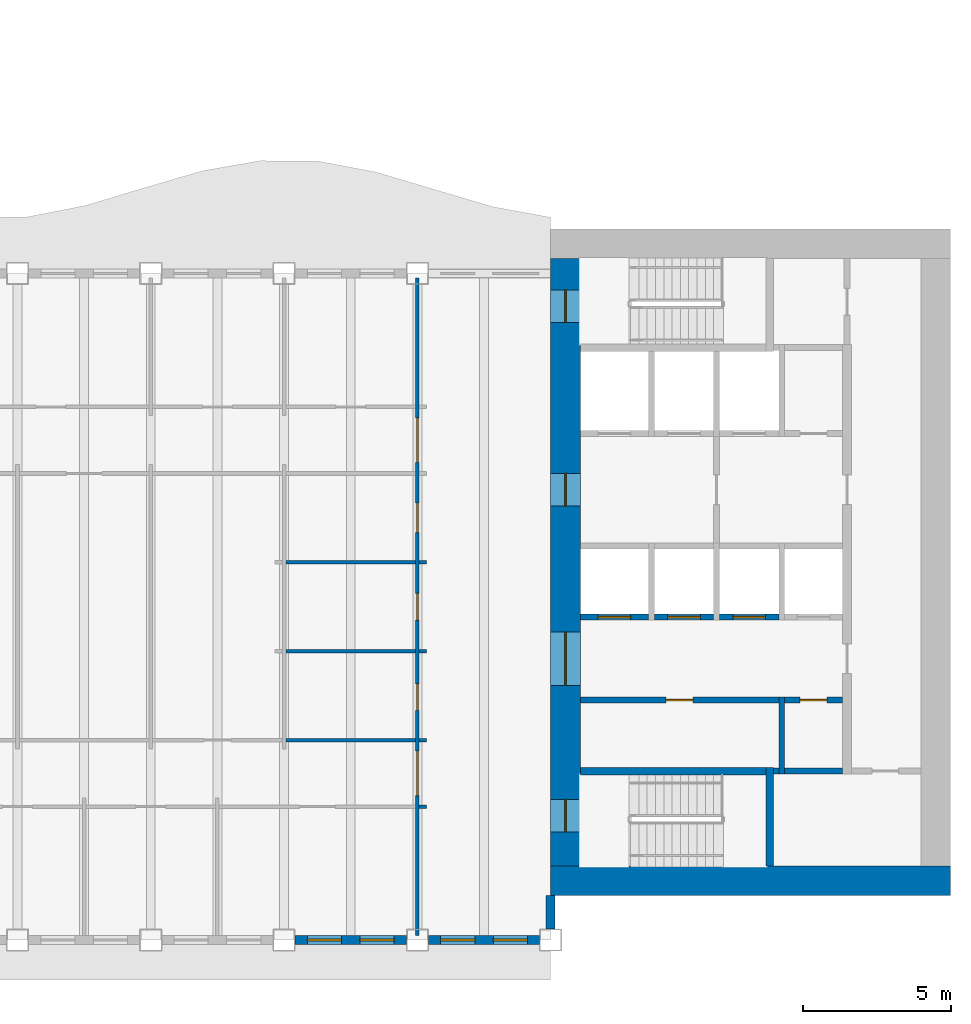
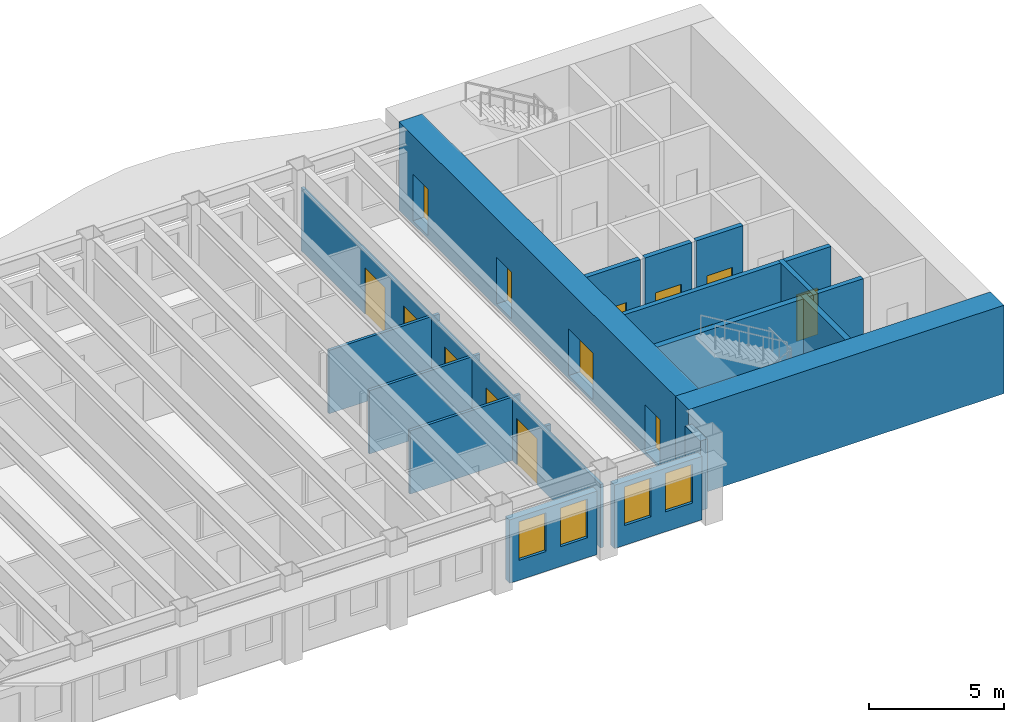
# One storey, part 6 of 17: 23 walls, 14 doors, 4 windows, 18 openings.
"""IFC4 building model written with IfcOpenShell, lengths in metres."""

from ifc_helpers import new_model, si_unit, direction, frame, frame_2d, origin, place, context, subcontext, project, spatial, rectangle, extrude, material, layer, layer_set, type_object, element, fill, save


model = new_model("IFC4")

# Units and contexts
model_context = context("Model", 3, precision=1e-05, world=origin(), true_north=direction((0.0, 1.0)))
body_context = subcontext(model_context, "Body", "Model", "MODEL_VIEW")
ifc_project = project(units=[si_unit("LENGTHUNIT", "METRE"), si_unit("AREAUNIT", "SQUARE_METRE"), si_unit("VOLUMEUNIT", "CUBIC_METRE"), si_unit("PLANEANGLEUNIT", "RADIAN"), si_unit("MASSUNIT", "GRAM", prefix="KILO")], contexts=[model_context])

# Site, building, storey
site_placement = place(None, origin())
site = spatial("IfcSite", under=ifc_project, at=site_placement, CompositionType="ELEMENT")
building_placement = place(site_placement, origin())
building = spatial("IfcBuilding", under=site, at=building_placement, Name="Sennacour Bend Tower", CompositionType="ELEMENT")
storey_placement = place(building_placement, frame((0.0, 0.0, 195.0)))
storey = spatial("IfcBuildingStorey", under=building, at=storey_placement, Name="L44", CompositionType="ELEMENT", Elevation=195.0)

# Wall
ifc_material_1 = material(Name="Concrete C60/75", Category="concrete")
ifc_layer_1 = layer(ifc_material_1, 1.0, Name="Concrete C60/75", Category="concrete")
ifc_layer_set_1 = layer_set([ifc_layer_1], Name="Concrete C60/75")
wall_type_1 = type_object("IfcWallType", Name="Core wall 1000 C60/75", PredefinedType="SHEAR", material=ifc_layer_set_1)
wall_1_placement = place(storey_placement, frame((67.5, 0.5, -0.14990234375), z_axis=(0.0, 0.0, 1.0), x_axis=(-1.0, 0.0, 0.0)))
element("IfcWall", 1, at=wall_1_placement, inside=storey, type_object=wall_type_1, Name="Core A wall L44 S", PredefinedType="SHEAR", context=body_context, shape_type="SweptSolid", body=[
    extrude(rectangle(XDim=13.5, YDim=1.0, at=frame_2d((6.75, 0.0))), origin(), (0.0, 0.0, 1.0), 4.0),
])

# Wall, openings, doors
wall_2_placement = place(storey_placement, frame((54.5, 1.0, -0.14990234375), z_axis=(0.0, 0.0, 1.0), x_axis=(0.0, 1.0, 0.0)))
wall_2 = element("IfcWall", 2, at=wall_2_placement, inside=storey, type_object=wall_type_1, Name="Core A wall L44 W", PredefinedType="SHEAR", context=body_context, shape_type="SweptSolid", body=[
    extrude(rectangle(XDim=20.5, YDim=1.0, at=frame_2d((10.25, 0.0))), origin(), (0.0, 0.0, 1.0), 4.0),
])
opening_1_placement = place(wall_2_placement, frame((6.10009765625, 0.0, 0.14990234375)))
opening_1 = element("IfcOpeningElement", 3, at=opening_1_placement, cuts=wall_2, Name="Opening CD", PredefinedType="OPENING", context=body_context, shape_type="SweptSolid", body=[
    extrude(rectangle(XDim=1.800048828125, YDim=2.10009765625, at=frame_2d((0.89990234375, 1.050048828125))), frame((0.0, 0.510009765625, 0.0), z_axis=(0.0, -1.0, 0.0), x_axis=(1.0, 0.0, 0.0)), (0.0, 0.0, 1.0), 1.02001953125),
])
opening_2_placement = place(wall_2_placement, frame((12.14990234375, 0.0, 0.14990234375)))
opening_2 = element("IfcOpeningElement", 4, at=opening_2_placement, cuts=wall_2, Name="Opening FD", PredefinedType="OPENING", context=body_context, shape_type="SweptSolid", body=[
    extrude(rectangle(XDim=1.10009765625, YDim=2.10009765625, at=frame_2d((0.550048828125, 1.050048828125))), frame((0.0, 0.510009765625, 0.0), z_axis=(0.0, -1.0, 0.0), x_axis=(1.0, 0.0, 0.0)), (0.0, 0.0, 1.0), 1.02001953125),
])
opening_3_placement = place(wall_2_placement, frame((1.14990234375, 0.0, 0.14990234375)))
opening_3 = element("IfcOpeningElement", 5, at=opening_3_placement, cuts=wall_2, Name="Opening SD", PredefinedType="OPENING", context=body_context, shape_type="SweptSolid", body=[
    extrude(rectangle(XDim=1.10009765625, YDim=2.10009765625, at=frame_2d((0.550048828125, 1.050048828125))), frame((0.0, 0.510009765625, 0.0), z_axis=(0.0, -1.0, 0.0), x_axis=(1.0, 0.0, 0.0)), (0.0, 0.0, 1.0), 1.02001953125),
])
opening_4_placement = place(wall_2_placement, frame((18.35009765625, 0.0, 0.14990234375)))
opening_4 = element("IfcOpeningElement", 6, at=opening_4_placement, cuts=wall_2, Name="Opening SD", PredefinedType="OPENING", context=body_context, shape_type="SweptSolid", body=[
    extrude(rectangle(XDim=1.10009765625, YDim=2.10009765625, at=frame_2d((0.550048828125, 1.050048828125))), frame((0.0, 0.510009765625, 0.0), z_axis=(0.0, -1.0, 0.0), x_axis=(1.0, 0.0, 0.0)), (0.0, 0.0, 1.0), 1.02001953125),
])
ifc_material_2 = material(Name="Painted steel", Category="steel")
door_type_1 = type_object("IfcDoorType", Name="DR-FFL-1100", OperationType="NOTDEFINED", PredefinedType="DOOR", material=ifc_material_2)
door_1_placement = place(opening_2_placement, origin())
door_1 = element("IfcDoor", 7, at=door_1_placement, inside=storey, type_object=door_type_1, Name="Door", OperationType="SINGLE_SWING_RIGHT", OverallHeight=2.10009765625, OverallWidth=1.10009765625, PredefinedType="DOOR", context=body_context, shape_type="SweptSolid", body=[
    extrude(rectangle(XDim=1.10009765625, YDim=2.10009765625, at=frame_2d((0.550048828125, 1.050048828125))), frame((0.0, 0.02490234375, 0.0), z_axis=(0.0, -1.0, 0.0), x_axis=(1.0, 0.0, 0.0)), (0.0, 0.0, 1.0), 0.050048828125),
])
fill(opening_2, door_1)
door_type_2 = type_object("IfcDoorType", Name="DR-LOBBY-1800", OperationType="NOTDEFINED", PredefinedType="DOOR", material=ifc_material_2)
door_2_placement = place(opening_1_placement, origin())
door_2 = element("IfcDoor", 8, at=door_2_placement, inside=storey, type_object=door_type_2, Name="Door", OperationType="DOUBLE_DOOR_SINGLE_SWING", OverallHeight=2.10009765625, OverallWidth=1.800048828125, PredefinedType="DOOR", context=body_context, shape_type="SweptSolid", body=[
    extrude(rectangle(XDim=1.800048828125, YDim=2.10009765625, at=frame_2d((0.89990234375, 1.050048828125))), frame((0.0, 0.02490234375, 0.0), z_axis=(0.0, -1.0, 0.0), x_axis=(1.0, 0.0, 0.0)), (0.0, 0.0, 1.0), 0.050048828125),
])
fill(opening_1, door_2)
door_type_3 = type_object("IfcDoorType", Name="DR-STAIR-1100", OperationType="NOTDEFINED", PredefinedType="DOOR", material=ifc_material_2)
door_3_placement = place(opening_3_placement, origin())
door_3 = element("IfcDoor", 9, at=door_3_placement, inside=storey, type_object=door_type_3, Name="Door", OperationType="SINGLE_SWING_LEFT", OverallHeight=2.10009765625, OverallWidth=1.10009765625, PredefinedType="DOOR", context=body_context, shape_type="SweptSolid", body=[
    extrude(rectangle(XDim=1.10009765625, YDim=2.10009765625, at=frame_2d((0.550048828125, 1.050048828125))), frame((0.0, 0.02490234375, 0.0), z_axis=(0.0, -1.0, 0.0), x_axis=(1.0, 0.0, 0.0)), (0.0, 0.0, 1.0), 0.050048828125),
])
fill(opening_3, door_3)
door_4_placement = place(opening_4_placement, origin())
door_4 = element("IfcDoor", 10, at=door_4_placement, inside=storey, type_object=door_type_3, Name="Door", OperationType="SINGLE_SWING_RIGHT", OverallHeight=2.10009765625, OverallWidth=1.10009765625, PredefinedType="DOOR", context=body_context, shape_type="SweptSolid", body=[
    extrude(rectangle(XDim=1.10009765625, YDim=2.10009765625, at=frame_2d((0.550048828125, 1.050048828125))), frame((0.0, 0.02490234375, 0.0), z_axis=(0.0, -1.0, 0.0), x_axis=(1.0, 0.0, 0.0)), (0.0, 0.0, 1.0), 0.050048828125),
])
fill(opening_4, door_4)

# Walls
ifc_material_3 = material(Name="Plasterboard partition on steel studs", Category="steel")
ifc_layer_2 = layer(ifc_material_3, 0.1201171875, Name="Plasterboard partition on steel studs", Category="steel")
ifc_layer_set_2 = layer_set([ifc_layer_2], Name="Plasterboard partition on steel studs")
wall_type_2 = type_object("IfcWallType", Name="Partition 120", PredefinedType="PARTITIONING", material=ifc_layer_set_2)
wall_3_placement = place(storey_placement, frame((49.56005859375, 3.0, 0.0), z_axis=(0.0, 0.0, 1.0), x_axis=(1.0, 0.0, 0.0)))
element("IfcWall", 11, at=wall_3_placement, inside=storey, type_object=wall_type_2, Name="P-L44-W053ah", PredefinedType="PARTITIONING", context=body_context, shape_type="SweptSolid", body=[
    extrude(rectangle(XDim=0.239990234375, YDim=0.1201171875, at=frame_2d((0.1201171875, 0.0))), origin(), (0.0, 0.0, 1.0), 2.8701171875),
])
wall_4_placement = place(storey_placement, frame((45.06005859375, 5.25, 0.0), z_axis=(0.0, 0.0, 1.0), x_axis=(1.0, 0.0, 0.0)))
element("IfcWall", 12, at=wall_4_placement, inside=storey, type_object=wall_type_2, Name="P-L44-W058ae", PredefinedType="PARTITIONING", context=body_context, shape_type="SweptSolid", body=[
    extrude(rectangle(XDim=4.3798828125, YDim=0.1201171875, at=frame_2d((2.18994140625, 0.0))), origin(), (0.0, 0.0, 1.0), 2.8701171875),
])
wall_5_placement = place(storey_placement, frame((49.56005859375, 5.25, 0.0), z_axis=(0.0, 0.0, 1.0), x_axis=(1.0, 0.0, 0.0)))
element("IfcWall", 13, at=wall_5_placement, inside=storey, type_object=wall_type_2, Name="P-L44-W058af", PredefinedType="PARTITIONING", context=body_context, shape_type="SweptSolid", body=[
    extrude(rectangle(XDim=0.239990234375, YDim=0.1201171875, at=frame_2d((0.1201171875, 0.0))), origin(), (0.0, 0.0, 1.0), 2.8701171875),
])
wall_6_placement = place(storey_placement, frame((45.06005859375, 8.25, 0.0), z_axis=(0.0, 0.0, 1.0), x_axis=(1.0, 0.0, 0.0)))
element("IfcWall", 14, at=wall_6_placement, inside=storey, type_object=wall_type_2, Name="P-L44-W060ab", PredefinedType="PARTITIONING", context=body_context, shape_type="SweptSolid", body=[
    extrude(rectangle(XDim=4.3798828125, YDim=0.1201171875, at=frame_2d((2.18994140625, 0.0))), origin(), (0.0, 0.0, 1.0), 2.8701171875),
])
wall_7_placement = place(storey_placement, frame((49.56005859375, 8.25, 0.0), z_axis=(0.0, 0.0, 1.0), x_axis=(1.0, 0.0, 0.0)))
element("IfcWall", 15, at=wall_7_placement, inside=storey, type_object=wall_type_2, Name="P-L44-W060ac", PredefinedType="PARTITIONING", context=body_context, shape_type="SweptSolid", body=[
    extrude(rectangle(XDim=0.239990234375, YDim=0.1201171875, at=frame_2d((0.1201171875, 0.0))), origin(), (0.0, 0.0, 1.0), 2.8701171875),
])
wall_8_placement = place(storey_placement, frame((45.06005859375, 11.25, 0.0), z_axis=(0.0, 0.0, 1.0), x_axis=(1.0, 0.0, 0.0)))
element("IfcWall", 16, at=wall_8_placement, inside=storey, type_object=wall_type_2, Name="P-L44-W064ab", PredefinedType="PARTITIONING", context=body_context, shape_type="SweptSolid", body=[
    extrude(rectangle(XDim=4.3798828125, YDim=0.1201171875, at=frame_2d((2.18994140625, 0.0))), origin(), (0.0, 0.0, 1.0), 2.8701171875),
])
wall_9_placement = place(storey_placement, frame((49.56005859375, 11.25, 0.0), z_axis=(0.0, 0.0, 1.0), x_axis=(1.0, 0.0, 0.0)))
element("IfcWall", 17, at=wall_9_placement, inside=storey, type_object=wall_type_2, Name="P-L44-W064ac", PredefinedType="PARTITIONING", context=body_context, shape_type="SweptSolid", body=[
    extrude(rectangle(XDim=0.239990234375, YDim=0.1201171875, at=frame_2d((0.1201171875, 0.0))), origin(), (0.0, 0.0, 1.0), 2.8701171875),
])

# Wall, openings, doors
ifc_layer_3 = layer(ifc_material_3, 0.1201171875, Name="Plasterboard partition on steel studs", Category="steel")
ifc_layer_set_3 = layer_set([ifc_layer_3], Name="Plasterboard partition on steel studs")
wall_type_3 = type_object("IfcWallType", Name="Partition 120 EI 30", PredefinedType="PARTITIONING", material=ifc_layer_set_3)
wall_10_placement = place(storey_placement, frame((49.5, -1.35009765625, 0.0), z_axis=(0.0, 0.0, 1.0), x_axis=(0.0, 1.0, 0.0)))
wall_10 = element("IfcWall", 18, at=wall_10_placement, inside=storey, type_object=wall_type_3, Name="P-L44-W037a", PredefinedType="PARTITIONING", context=body_context, shape_type="SweptSolid", body=[
    extrude(rectangle(XDim=22.2001953125, YDim=0.1201171875, at=frame_2d((11.10009765625, 0.0))), origin(), (0.0, 0.0, 1.0), 2.8701171875),
])
opening_5_placement = place(wall_10_placement, frame((4.72509765625, 0.0, 0.0)))
opening_5 = element("IfcOpeningElement", 19, at=opening_5_placement, cuts=wall_10, Name="Opening KD", PredefinedType="OPENING", context=body_context, shape_type="SweptSolid", body=[
    extrude(rectangle(XDim=1.5, YDim=2.10009765625, at=frame_2d((0.75, 1.050048828125))), frame((0.0, 0.070068359375, 0.0), z_axis=(0.0, -1.0, 0.0), x_axis=(1.0, 0.0, 0.0)), (0.0, 0.0, 1.0), 0.14013671875),
])
opening_6_placement = place(wall_10_placement, frame((15.97509765625, 0.0, 0.0)))
opening_6 = element("IfcOpeningElement", 20, at=opening_6_placement, cuts=wall_10, Name="Opening KD", PredefinedType="OPENING", context=body_context, shape_type="SweptSolid", body=[
    extrude(rectangle(XDim=1.5, YDim=2.10009765625, at=frame_2d((0.75, 1.050048828125))), frame((0.0, 0.070068359375, 0.0), z_axis=(0.0, -1.0, 0.0), x_axis=(1.0, 0.0, 0.0)), (0.0, 0.0, 1.0), 0.14013671875),
])
opening_7_placement = place(wall_10_placement, frame((7.60009765625, 0.0, 0.0)))
opening_7 = element("IfcOpeningElement", 21, at=opening_7_placement, cuts=wall_10, Name="Opening WD", PredefinedType="OPENING", context=body_context, shape_type="SweptSolid", body=[
    extrude(rectangle(XDim=0.89990234375, YDim=2.10009765625, at=frame_2d((0.449951171875, 1.050048828125))), frame((0.0, 0.070068359375, 0.0), z_axis=(0.0, -1.0, 0.0), x_axis=(1.0, 0.0, 0.0)), (0.0, 0.0, 1.0), 0.14013671875),
])
opening_8_placement = place(wall_10_placement, frame((10.650146484375, 0.0, 0.0)))
opening_8 = element("IfcOpeningElement", 22, at=opening_8_placement, cuts=wall_10, Name="Opening WD", PredefinedType="OPENING", context=body_context, shape_type="SweptSolid", body=[
    extrude(rectangle(XDim=0.89990234375, YDim=2.10009765625, at=frame_2d((0.449951171875, 1.050048828125))), frame((0.0, 0.070068359375, 0.0), z_axis=(0.0, -1.0, 0.0), x_axis=(1.0, 0.0, 0.0)), (0.0, 0.0, 1.0), 0.14013671875),
])
opening_9_placement = place(wall_10_placement, frame((13.60009765625, 0.0, 0.0)))
opening_9 = element("IfcOpeningElement", 23, at=opening_9_placement, cuts=wall_10, Name="Opening AD", PredefinedType="OPENING", context=body_context, shape_type="SweptSolid", body=[
    extrude(rectangle(XDim=1.0, YDim=2.10009765625, at=frame_2d((0.5, 1.050048828125))), frame((0.0, 0.070068359375, 0.0), z_axis=(0.0, -1.0, 0.0), x_axis=(1.0, 0.0, 0.0)), (0.0, 0.0, 1.0), 0.14013671875),
])
ifc_material_4 = material(Name="Timber", Category="wood")
door_type_4 = type_object("IfcDoorType", Name="DR-ACC-WC-1000", OperationType="NOTDEFINED", PredefinedType="DOOR", material=ifc_material_4)
door_5_placement = place(opening_9_placement, origin())
door_5 = element("IfcDoor", 24, at=door_5_placement, inside=storey, type_object=door_type_4, Name="Door", OperationType="SINGLE_SWING_RIGHT", OverallHeight=2.10009765625, OverallWidth=1.0, PredefinedType="DOOR", context=body_context, shape_type="SweptSolid", body=[
    extrude(rectangle(XDim=1.0, YDim=2.10009765625, at=frame_2d((0.5, 1.050048828125))), frame((0.0, 0.02490234375, 0.0), z_axis=(0.0, -1.0, 0.0), x_axis=(1.0, 0.0, 0.0)), (0.0, 0.0, 1.0), 0.050048828125),
])
fill(opening_9, door_5)
door_type_5 = type_object("IfcDoorType", Name="DR-CORRIDOR-1500", OperationType="NOTDEFINED", PredefinedType="DOOR", material=ifc_material_2)
door_6_placement = place(opening_5_placement, origin())
door_6 = element("IfcDoor", 25, at=door_6_placement, inside=storey, type_object=door_type_5, Name="Door", OperationType="SINGLE_SWING_LEFT", OverallHeight=2.10009765625, OverallWidth=1.5, PredefinedType="DOOR", context=body_context, shape_type="SweptSolid", body=[
    extrude(rectangle(XDim=1.5, YDim=2.10009765625, at=frame_2d((0.75, 1.050048828125))), frame((0.0, 0.02490234375, 0.0), z_axis=(0.0, -1.0, 0.0), x_axis=(1.0, 0.0, 0.0)), (0.0, 0.0, 1.0), 0.050048828125),
])
fill(opening_5, door_6)
door_7_placement = place(opening_6_placement, origin())
door_7 = element("IfcDoor", 26, at=door_7_placement, inside=storey, type_object=door_type_5, Name="Door", OperationType="SINGLE_SWING_RIGHT", OverallHeight=2.10009765625, OverallWidth=1.5, PredefinedType="DOOR", context=body_context, shape_type="SweptSolid", body=[
    extrude(rectangle(XDim=1.5, YDim=2.10009765625, at=frame_2d((0.75, 1.050048828125))), frame((0.0, 0.02490234375, 0.0), z_axis=(0.0, -1.0, 0.0), x_axis=(1.0, 0.0, 0.0)), (0.0, 0.0, 1.0), 0.050048828125),
])
fill(opening_6, door_7)
door_type_6 = type_object("IfcDoorType", Name="DR-WC-900", OperationType="NOTDEFINED", PredefinedType="DOOR", material=ifc_material_4)
door_8_placement = place(opening_7_placement, origin())
door_8 = element("IfcDoor", 27, at=door_8_placement, inside=storey, type_object=door_type_6, Name="Door", OperationType="SINGLE_SWING_LEFT", OverallHeight=2.10009765625, OverallWidth=0.89990234375, PredefinedType="DOOR", context=body_context, shape_type="SweptSolid", body=[
    extrude(rectangle(XDim=0.89990234375, YDim=2.10009765625, at=frame_2d((0.449951171875, 1.050048828125))), frame((0.0, 0.02490234375, 0.0), z_axis=(0.0, -1.0, 0.0), x_axis=(1.0, 0.0, 0.0)), (0.0, 0.0, 1.0), 0.050048828125),
])
fill(opening_7, door_8)
door_9_placement = place(opening_8_placement, origin())
door_9 = element("IfcDoor", 28, at=door_9_placement, inside=storey, type_object=door_type_6, Name="Door", OperationType="SINGLE_SWING_LEFT", OverallHeight=2.10009765625, OverallWidth=0.89990234375, PredefinedType="DOOR", context=body_context, shape_type="SweptSolid", body=[
    extrude(rectangle(XDim=0.89990234375, YDim=2.10009765625, at=frame_2d((0.449951171875, 1.050048828125))), frame((0.0, 0.02490234375, 0.0), z_axis=(0.0, -1.0, 0.0), x_axis=(1.0, 0.0, 0.0)), (0.0, 0.0, 1.0), 0.050048828125),
])
fill(opening_8, door_9)

# Walls
ifc_material_5 = material(Name="Fire-rated plasterboard partition on steel studs", Category="steel")
ifc_layer_4 = layer(ifc_material_5, 0.199951171875, Name="Fire-rated plasterboard partition on steel studs", Category="steel")
ifc_layer_set_4 = layer_set([ifc_layer_4], Name="Fire-rated plasterboard partition on steel studs")
wall_type_4 = type_object("IfcWallType", Name="Rated partition 200", PredefinedType="PARTITIONING", material=ifc_layer_set_4)
wall_11_placement = place(storey_placement, frame((61.800048828125, 4.10009765625, 0.0), z_axis=(0.0, 0.0, 1.0), x_axis=(0.0, 1.0, 0.0)))
element("IfcWall", 29, at=wall_11_placement, inside=storey, type_object=wall_type_4, Name="P-L44-W046", PredefinedType="PARTITIONING", context=body_context, shape_type="SweptSolid", body=[
    extrude(rectangle(XDim=2.599853515625, YDim=0.199951171875, at=frame_2d((1.2998046875, 0.0))), origin(), (0.0, 0.0, 1.0), 3.85009765625),
])
wall_12_placement = place(storey_placement, frame((61.52490234375, 4.199951171875, 0.0), z_axis=(0.0, 0.0, 1.0), x_axis=(1.0, 0.0, 0.0)))
element("IfcWall", 30, at=wall_12_placement, inside=storey, type_object=wall_type_4, Name="P-L44-W057a", PredefinedType="PARTITIONING", context=body_context, shape_type="SweptSolid", body=[
    extrude(rectangle(XDim=0.175048828125, YDim=0.199951171875, at=frame_2d((0.08740234375, 0.0))), origin(), (0.0, 0.0, 1.0), 3.85009765625),
])
wall_13_placement = place(storey_placement, frame((61.89990234375, 4.199951171875, 0.0), z_axis=(0.0, 0.0, 1.0), x_axis=(1.0, 0.0, 0.0)))
element("IfcWall", 31, at=wall_13_placement, inside=storey, type_object=wall_type_4, Name="P-L44-W057b", PredefinedType="PARTITIONING", context=body_context, shape_type="SweptSolid", body=[
    extrude(rectangle(XDim=1.9501953125, YDim=0.199951171875, at=frame_2d((0.97509765625, 0.0))), origin(), (0.0, 0.0, 1.0), 3.85009765625),
])

# Wall, opening, door
wall_14_placement = place(storey_placement, frame((55.0, 6.60009765625, 0.0), z_axis=(0.0, 0.0, 1.0), x_axis=(1.0, 0.0, 0.0)))
wall_14 = element("IfcWall", 32, at=wall_14_placement, inside=storey, type_object=wall_type_4, Name="P-L44-W059a", PredefinedType="PARTITIONING", context=body_context, shape_type="SweptSolid", body=[
    extrude(rectangle(XDim=6.699951171875, YDim=0.199951171875, at=frame_2d((3.35009765625, 0.0))), origin(), (0.0, 0.0, 1.0), 3.85009765625),
])
opening_10_placement = place(wall_14_placement, frame((2.89990234375, 0.0, 0.0)))
opening_10 = element("IfcOpeningElement", 33, at=opening_10_placement, cuts=wall_14, Name="Opening SV", PredefinedType="OPENING", context=body_context, shape_type="SweptSolid", body=[
    extrude(rectangle(XDim=0.89990234375, YDim=2.10009765625, at=frame_2d((0.449951171875, 1.050048828125))), frame((0.0, 0.10986328125, 0.0), z_axis=(0.0, -1.0, 0.0), x_axis=(1.0, 0.0, 0.0)), (0.0, 0.0, 1.0), 0.219970703125),
])
door_type_7 = type_object("IfcDoorType", Name="DR-SERVICE-900", OperationType="NOTDEFINED", PredefinedType="DOOR", material=ifc_material_2)
door_10_placement = place(opening_10_placement, origin())
door_10 = element("IfcDoor", 34, at=door_10_placement, inside=storey, type_object=door_type_7, Name="Door", OperationType="SINGLE_SWING_LEFT", OverallHeight=2.10009765625, OverallWidth=0.89990234375, PredefinedType="DOOR", context=body_context, shape_type="SweptSolid", body=[
    extrude(rectangle(XDim=0.89990234375, YDim=2.10009765625, at=frame_2d((0.449951171875, 1.050048828125))), frame((0.0, 0.02490234375, 0.0), z_axis=(0.0, -1.0, 0.0), x_axis=(1.0, 0.0, 0.0)), (0.0, 0.0, 1.0), 0.050048828125),
])
fill(opening_10, door_10)

wall_15_placement = place(storey_placement, frame((61.89990234375, 6.60009765625, 0.0), z_axis=(0.0, 0.0, 1.0), x_axis=(1.0, 0.0, 0.0)))
wall_15 = element("IfcWall", 35, at=wall_15_placement, inside=storey, type_object=wall_type_4, Name="P-L44-W059b", PredefinedType="PARTITIONING", context=body_context, shape_type="SweptSolid", body=[
    extrude(rectangle(XDim=1.9501953125, YDim=0.199951171875, at=frame_2d((0.97509765625, 0.0))), origin(), (0.0, 0.0, 1.0), 3.85009765625),
])
opening_11_placement = place(wall_15_placement, frame((0.525146484375, 0.0, 0.0)))
opening_11 = element("IfcOpeningElement", 36, at=opening_11_placement, cuts=wall_15, Name="Opening SV", PredefinedType="OPENING", context=body_context, shape_type="SweptSolid", body=[
    extrude(rectangle(XDim=0.89990234375, YDim=2.10009765625, at=frame_2d((0.449951171875, 1.050048828125))), frame((0.0, 0.10986328125, 0.0), z_axis=(0.0, -1.0, 0.0), x_axis=(1.0, 0.0, 0.0)), (0.0, 0.0, 1.0), 0.219970703125),
])
door_11_placement = place(opening_11_placement, origin())
door_11 = element("IfcDoor", 37, at=door_11_placement, inside=storey, type_object=door_type_7, Name="Door", OperationType="SINGLE_SWING_RIGHT", OverallHeight=2.10009765625, OverallWidth=0.89990234375, PredefinedType="DOOR", context=body_context, shape_type="SweptSolid", body=[
    extrude(rectangle(XDim=0.89990234375, YDim=2.10009765625, at=frame_2d((0.449951171875, 1.050048828125))), frame((0.0, 0.02490234375, 0.0), z_axis=(0.0, -1.0, 0.0), x_axis=(1.0, 0.0, 0.0)), (0.0, 0.0, 1.0), 0.050048828125),
])
fill(opening_11, door_11)

# Wall, openings, windows
ifc_material_6 = material(Name="Warm limestone cladding", Category="masonry")
ifc_layer_5 = layer(ifc_material_6, 0.050048828125, Name="Warm limestone cladding", Category="masonry")
ifc_material_7 = material(Name="Precast concrete C40/50", Category="concrete")
ifc_layer_6 = layer(ifc_material_7, 0.25, Name="Precast concrete C40/50", Category="concrete")
ifc_layer_set_5 = layer_set([ifc_layer_5, ifc_layer_6], Name="Precast concrete C40/50 with limestone cladding")
wall_type_5 = type_object("IfcWallType", Name="STONE-CLAD PRECAST SPANDREL 300", PredefinedType="STANDARD", material=ifc_layer_set_5)
wall_16_placement = place(storey_placement, frame((45.375, -1.5, 0.0), z_axis=(0.0, 0.0, 1.0), x_axis=(1.0, 0.0, 0.0)))
wall_16 = element("IfcWall", 38, at=wall_16_placement, inside=storey, type_object=wall_type_5, Name="Stone spandrel and pier wall L44 00.05", PredefinedType="STANDARD", context=body_context, shape_type="SweptSolid", body=[
    extrude(rectangle(XDim=3.75, YDim=0.300048828125, at=frame_2d((1.875, 0.0))), origin(), (0.0, 0.0, 1.0), 2.8701171875),
])
opening_12_placement = place(wall_16_placement, frame((0.41259765625, 0.0, 0.89990234375)))
opening_12 = element("IfcOpeningElement", 39, at=opening_12_placement, cuts=wall_16, Name="Opening W23", PredefinedType="OPENING", context=body_context, shape_type="SweptSolid", body=[
    extrude(rectangle(XDim=1.14990234375, YDim=1.75, at=frame_2d((0.574951171875, 0.875))), frame((0.0, 0.16015625, 0.0), z_axis=(0.0, -1.0, 0.0), x_axis=(1.0, 0.0, 0.0)), (0.0, 0.0, 1.0), 0.320068359375),
])
opening_13_placement = place(wall_16_placement, frame((2.1875, 0.0, 0.89990234375)))
opening_13 = element("IfcOpeningElement", 40, at=opening_13_placement, cuts=wall_16, Name="Opening W23", PredefinedType="OPENING", context=body_context, shape_type="SweptSolid", body=[
    extrude(rectangle(XDim=1.14990234375, YDim=1.75, at=frame_2d((0.574951171875, 0.875))), frame((0.0, 0.16015625, 0.0), z_axis=(0.0, -1.0, 0.0), x_axis=(1.0, 0.0, 0.0)), (0.0, 0.0, 1.0), 0.320068359375),
])
ifc_material_8 = material(Name="Clear low-emissivity glass", Category="glass")
window_type = type_object("IfcWindowType", Name="WIN-RIBBON-1150x1750", PartitioningType="SINGLE_PANEL", PredefinedType="WINDOW", material=ifc_material_8)
window_1_placement = place(opening_12_placement, origin())
window_1 = element("IfcWindow", 41, at=window_1_placement, inside=storey, type_object=window_type, Name="Ribbon window L44 00.05.0", OverallHeight=1.75, OverallWidth=1.14990234375, PartitioningType="SINGLE_PANEL", PredefinedType="WINDOW", context=body_context, shape_type="SweptSolid", body=[
    extrude(rectangle(XDim=1.14990234375, YDim=1.75, at=frame_2d((0.574951171875, 0.875))), frame((0.0, 0.030029296875, 0.0), z_axis=(0.0, -1.0, 0.0), x_axis=(1.0, 0.0, 0.0)), (0.0, 0.0, 1.0), 0.06005859375),
])
fill(opening_12, window_1)
window_2_placement = place(opening_13_placement, origin())
window_2 = element("IfcWindow", 42, at=window_2_placement, inside=storey, type_object=window_type, Name="Ribbon window L44 00.05.1", OverallHeight=1.75, OverallWidth=1.14990234375, PartitioningType="SINGLE_PANEL", PredefinedType="WINDOW", context=body_context, shape_type="SweptSolid", body=[
    extrude(rectangle(XDim=1.14990234375, YDim=1.75, at=frame_2d((0.574951171875, 0.875))), frame((0.0, 0.030029296875, 0.0), z_axis=(0.0, -1.0, 0.0), x_axis=(1.0, 0.0, 0.0)), (0.0, 0.0, 1.0), 0.06005859375),
])
fill(opening_13, window_2)

wall_17_placement = place(storey_placement, frame((49.875, -1.5, 0.0), z_axis=(0.0, 0.0, 1.0), x_axis=(1.0, 0.0, 0.0)))
wall_17 = element("IfcWall", 43, at=wall_17_placement, inside=storey, type_object=wall_type_5, Name="Stone spandrel and pier wall L44 00.06", PredefinedType="STANDARD", context=body_context, shape_type="SweptSolid", body=[
    extrude(rectangle(XDim=3.75, YDim=0.300048828125, at=frame_2d((1.875, 0.0))), origin(), (0.0, 0.0, 1.0), 2.8701171875),
])
opening_14_placement = place(wall_17_placement, frame((0.41259765625, 0.0, 0.89990234375)))
opening_14 = element("IfcOpeningElement", 44, at=opening_14_placement, cuts=wall_17, Name="Opening W23", PredefinedType="OPENING", context=body_context, shape_type="SweptSolid", body=[
    extrude(rectangle(XDim=1.14990234375, YDim=1.75, at=frame_2d((0.574951171875, 0.875))), frame((0.0, 0.16015625, 0.0), z_axis=(0.0, -1.0, 0.0), x_axis=(1.0, 0.0, 0.0)), (0.0, 0.0, 1.0), 0.320068359375),
])
opening_15_placement = place(wall_17_placement, frame((2.1875, 0.0, 0.89990234375)))
opening_15 = element("IfcOpeningElement", 45, at=opening_15_placement, cuts=wall_17, Name="Opening W23", PredefinedType="OPENING", context=body_context, shape_type="SweptSolid", body=[
    extrude(rectangle(XDim=1.14990234375, YDim=1.75, at=frame_2d((0.574951171875, 0.875))), frame((0.0, 0.16015625, 0.0), z_axis=(0.0, -1.0, 0.0), x_axis=(1.0, 0.0, 0.0)), (0.0, 0.0, 1.0), 0.320068359375),
])
window_3_placement = place(opening_14_placement, origin())
window_3 = element("IfcWindow", 46, at=window_3_placement, inside=storey, type_object=window_type, Name="Ribbon window L44 00.06.0", OverallHeight=1.75, OverallWidth=1.14990234375, PartitioningType="SINGLE_PANEL", PredefinedType="WINDOW", context=body_context, shape_type="SweptSolid", body=[
    extrude(rectangle(XDim=1.14990234375, YDim=1.75, at=frame_2d((0.574951171875, 0.875))), frame((0.0, 0.030029296875, 0.0), z_axis=(0.0, -1.0, 0.0), x_axis=(1.0, 0.0, 0.0)), (0.0, 0.0, 1.0), 0.06005859375),
])
fill(opening_14, window_3)
window_4_placement = place(opening_15_placement, origin())
window_4 = element("IfcWindow", 47, at=window_4_placement, inside=storey, type_object=window_type, Name="Ribbon window L44 00.06.1", OverallHeight=1.75, OverallWidth=1.14990234375, PartitioningType="SINGLE_PANEL", PredefinedType="WINDOW", context=body_context, shape_type="SweptSolid", body=[
    extrude(rectangle(XDim=1.14990234375, YDim=1.75, at=frame_2d((0.574951171875, 0.875))), frame((0.0, 0.030029296875, 0.0), z_axis=(0.0, -1.0, 0.0), x_axis=(1.0, 0.0, 0.0)), (0.0, 0.0, 1.0), 0.06005859375),
])
fill(opening_15, window_4)

# Wall
wall_18_placement = place(storey_placement, frame((54.0, -1.125, 0.0), z_axis=(0.0, 0.0, 1.0), x_axis=(0.0, 1.0, 0.0)))
element("IfcWall", 48, at=wall_18_placement, inside=storey, type_object=wall_type_5, Name="Stone spandrel and pier wall L44 01.00", PredefinedType="STANDARD", context=body_context, shape_type="SweptSolid", body=[
    extrude(rectangle(XDim=1.125, YDim=0.300048828125, at=frame_2d((0.5625, 0.0))), origin(), (0.0, 0.0, 1.0), 3.156982421875),
])

# Wall, opening, door
ifc_material_9 = material(Name="Concrete C50/60", Category="concrete")
ifc_layer_7 = layer(ifc_material_9, 0.199951171875, Name="Concrete C50/60", Category="concrete")
ifc_layer_set_6 = layer_set([ifc_layer_7], Name="Concrete C50/60")
wall_type_6 = type_object("IfcWallType", Name="Shaft wall 200", PredefinedType="SOLIDWALL", material=ifc_layer_set_6)
wall_19_placement = place(storey_placement, frame((55.0, 9.39990234375, 0.0), z_axis=(0.0, 0.0, 1.0), x_axis=(1.0, 0.0, 0.0)))
wall_19 = element("IfcWall", 49, at=wall_19_placement, inside=storey, type_object=wall_type_6, Name="P-L44-W062a", PredefinedType="SOLIDWALL", context=body_context, shape_type="SweptSolid", body=[
    extrude(rectangle(XDim=2.300048828125, YDim=0.199951171875, at=frame_2d((1.14990234375, 0.0))), origin(), (0.0, 0.0, 1.0), 3.85009765625),
])
opening_16_placement = place(wall_19_placement, frame((0.60009765625, 0.0, 0.011962890625)))
opening_16 = element("IfcOpeningElement", 50, at=opening_16_placement, cuts=wall_19, Name="Opening LD", PredefinedType="OPENING", context=body_context, shape_type="SweptSolid", body=[
    extrude(rectangle(XDim=1.10009765625, YDim=2.10009765625, at=frame_2d((0.550048828125, 1.050048828125))), frame((0.0, 0.10986328125, 0.0), z_axis=(0.0, -1.0, 0.0), x_axis=(1.0, 0.0, 0.0)), (0.0, 0.0, 1.0), 0.219970703125),
])
ifc_material_10 = material(Name="Stainless steel", Category="steel")
door_type_8 = type_object("IfcDoorType", Name="DR-LANDING-1100", OperationType="NOTDEFINED", PredefinedType="DOOR", material=ifc_material_10)
door_12_placement = place(opening_16_placement, origin())
door_12 = element("IfcDoor", 51, at=door_12_placement, inside=storey, type_object=door_type_8, Name="Lift landing door HA1", OperationType="SLIDING_TO_LEFT", OverallHeight=2.10009765625, OverallWidth=1.10009765625, PredefinedType="DOOR", context=body_context, shape_type="SweptSolid", body=[
    extrude(rectangle(XDim=1.10009765625, YDim=2.10009765625, at=frame_2d((0.550048828125, 1.050048828125))), frame((0.0, 0.02490234375, 0.0), z_axis=(0.0, -1.0, 0.0), x_axis=(1.0, 0.0, 0.0)), (0.0, 0.0, 1.0), 0.050048828125),
])
fill(opening_16, door_12)

wall_20_placement = place(storey_placement, frame((57.5, 9.39990234375, 0.0), z_axis=(0.0, 0.0, 1.0), x_axis=(1.0, 0.0, 0.0)))
wall_20 = element("IfcWall", 52, at=wall_20_placement, inside=storey, type_object=wall_type_6, Name="P-L44-W062b", PredefinedType="SOLIDWALL", context=body_context, shape_type="SweptSolid", body=[
    extrude(rectangle(XDim=2.0, YDim=0.199951171875, at=frame_2d((1.0, 0.0))), origin(), (0.0, 0.0, 1.0), 3.85009765625),
])
opening_17_placement = place(wall_20_placement, frame((0.449951171875, 0.0, 0.011962890625)))
opening_17 = element("IfcOpeningElement", 53, at=opening_17_placement, cuts=wall_20, Name="Opening LD", PredefinedType="OPENING", context=body_context, shape_type="SweptSolid", body=[
    extrude(rectangle(XDim=1.10009765625, YDim=2.10009765625, at=frame_2d((0.550048828125, 1.050048828125))), frame((0.0, 0.10986328125, 0.0), z_axis=(0.0, -1.0, 0.0), x_axis=(1.0, 0.0, 0.0)), (0.0, 0.0, 1.0), 0.219970703125),
])
door_13_placement = place(opening_17_placement, origin())
door_13 = element("IfcDoor", 54, at=door_13_placement, inside=storey, type_object=door_type_8, Name="Lift landing door HA2", OperationType="SLIDING_TO_RIGHT", OverallHeight=2.10009765625, OverallWidth=1.10009765625, PredefinedType="DOOR", context=body_context, shape_type="SweptSolid", body=[
    extrude(rectangle(XDim=1.10009765625, YDim=2.10009765625, at=frame_2d((0.550048828125, 1.050048828125))), frame((0.0, 0.02490234375, 0.0), z_axis=(0.0, -1.0, 0.0), x_axis=(1.0, 0.0, 0.0)), (0.0, 0.0, 1.0), 0.050048828125),
])
fill(opening_17, door_13)

wall_21_placement = place(storey_placement, frame((59.699951171875, 9.39990234375, 0.0), z_axis=(0.0, 0.0, 1.0), x_axis=(1.0, 0.0, 0.0)))
wall_21 = element("IfcWall", 55, at=wall_21_placement, inside=storey, type_object=wall_type_6, Name="P-L44-W062c", PredefinedType="SOLIDWALL", context=body_context, shape_type="SweptSolid", body=[
    extrude(rectangle(XDim=2.0, YDim=0.199951171875, at=frame_2d((1.0, 0.0))), origin(), (0.0, 0.0, 1.0), 3.85009765625),
])
opening_18_placement = place(wall_21_placement, frame((0.449951171875, 0.0, 0.011962890625)))
opening_18 = element("IfcOpeningElement", 56, at=opening_18_placement, cuts=wall_21, Name="Opening LD", PredefinedType="OPENING", context=body_context, shape_type="SweptSolid", body=[
    extrude(rectangle(XDim=1.10009765625, YDim=2.10009765625, at=frame_2d((0.550048828125, 1.050048828125))), frame((0.0, 0.10986328125, 0.0), z_axis=(0.0, -1.0, 0.0), x_axis=(1.0, 0.0, 0.0)), (0.0, 0.0, 1.0), 0.219970703125),
])
door_14_placement = place(opening_18_placement, origin())
door_14 = element("IfcDoor", 57, at=door_14_placement, inside=storey, type_object=door_type_8, Name="Lift landing door HA3", OperationType="SLIDING_TO_LEFT", OverallHeight=2.10009765625, OverallWidth=1.10009765625, PredefinedType="DOOR", context=body_context, shape_type="SweptSolid", body=[
    extrude(rectangle(XDim=1.10009765625, YDim=2.10009765625, at=frame_2d((0.550048828125, 1.050048828125))), frame((0.0, 0.02490234375, 0.0), z_axis=(0.0, -1.0, 0.0), x_axis=(1.0, 0.0, 0.0)), (0.0, 0.0, 1.0), 0.050048828125),
])
fill(opening_18, door_14)

# Walls
ifc_layer_8 = layer(ifc_material_1, 0.25, Name="Concrete C60/75", Category="concrete")
ifc_layer_set_7 = layer_set([ifc_layer_8], Name="Concrete C60/75")
wall_type_7 = type_object("IfcWallType", Name="Stair wall 250", PredefinedType="SHEAR", material=ifc_layer_set_7)
wall_22_placement = place(storey_placement, frame((61.39990234375, 1.0, 0.0), z_axis=(0.0, 0.0, 1.0), x_axis=(0.0, 1.0, 0.0)))
element("IfcWall", 58, at=wall_22_placement, inside=storey, type_object=wall_type_7, Name="P-L44-W044", PredefinedType="SHEAR", context=body_context, shape_type="SweptSolid", body=[
    extrude(rectangle(XDim=3.324951171875, YDim=0.25, at=frame_2d((1.66259765625, 0.0))), origin(), (0.0, 0.0, 1.0), 3.85009765625),
])
wall_23_placement = place(storey_placement, frame((55.0, 4.199951171875, 0.0), z_axis=(0.0, 0.0, 1.0), x_axis=(1.0, 0.0, 0.0)))
element("IfcWall", 59, at=wall_23_placement, inside=storey, type_object=wall_type_7, Name="P-L44-W056", PredefinedType="SHEAR", context=body_context, shape_type="SweptSolid", body=[
    extrude(rectangle(XDim=6.27490234375, YDim=0.25, at=frame_2d((3.137451171875, 0.0))), origin(), (0.0, 0.0, 1.0), 3.85009765625),
])

save(model, "model.ifc")
